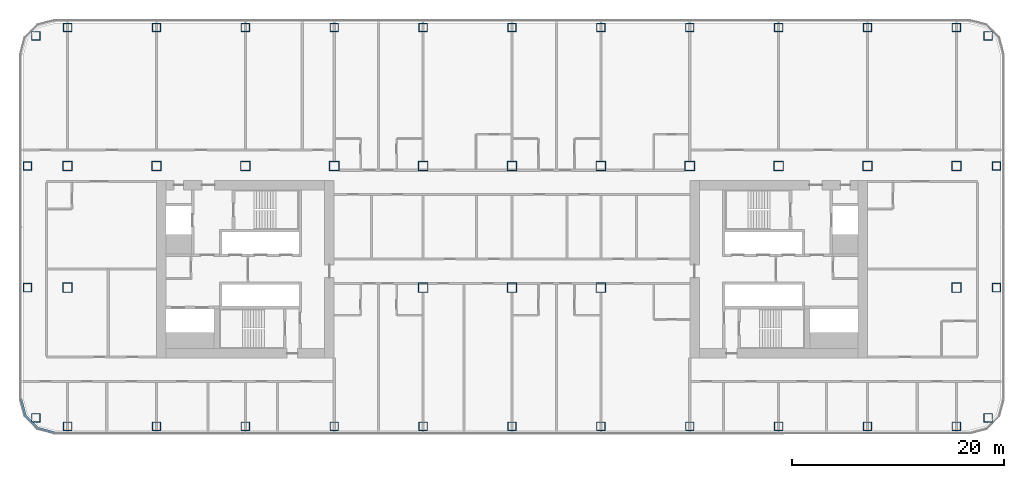
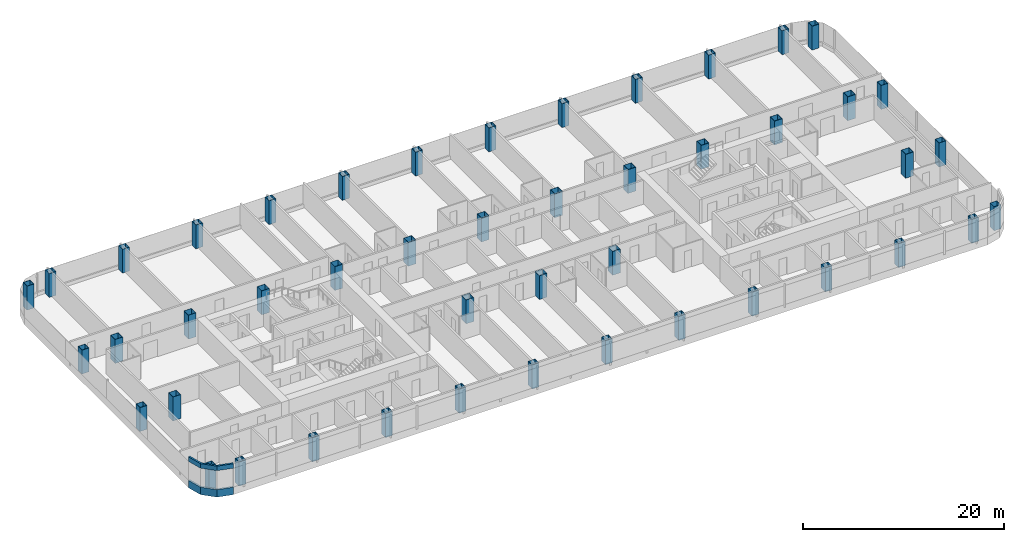
# One storey, part 1 of 29: 46 columns, 2 members, 1 element without a shape of its own.
"""IFC4 building model written with IfcOpenShell, lengths in metres."""

from ifc_helpers import new_model, si_unit, direction, frame, origin, origin_2d, place, context, subcontext, project, spatial, polyline, rectangle, hollow_rectangle, outline, extrude, material, layer, layer_set, material_profile, profile_set, type_object, element, aggregate, save


model = new_model("IFC4")

# Units and contexts
model_context = context("Model", 3, precision=1e-05, world=origin(), true_north=direction((0.0, 1.0)))
body_context = subcontext(model_context, "Body", "Model", "MODEL_VIEW")
ifc_project = project(units=[si_unit("LENGTHUNIT", "METRE"), si_unit("AREAUNIT", "SQUARE_METRE"), si_unit("VOLUMEUNIT", "CUBIC_METRE"), si_unit("PLANEANGLEUNIT", "RADIAN"), si_unit("MASSUNIT", "GRAM", prefix="KILO")], contexts=[model_context])

# Site, building, storey
site_placement = place(None, origin())
site = spatial("IfcSite", under=ifc_project, at=site_placement, CompositionType="ELEMENT")
building_placement = place(site_placement, origin())
building = spatial("IfcBuilding", under=site, at=building_placement, Name="Hakoniwa Tower and Hamabe Station Hall", CompositionType="ELEMENT")
storey_placement = place(building_placement, frame((0.0, 0.0, 117.0)))
storey = spatial("IfcBuildingStorey", under=building, at=storey_placement, Name="L33", CompositionType="ELEMENT", Elevation=117.0)

# Columns
ifc_material_1 = material(Name="Steel SN490C", Category="steel")
ifc_material_profile_1 = material_profile(ifc_material_1, hollow_rectangle(XDim=0.800048828125, YDim=0.800048828125, WallThickness=0.031982421875, at=origin_2d()), Name="BX-800x800x32")
ifc_profile_set_1 = profile_set([ifc_material_profile_1], Name="Steel SN490C")
column_type_1 = type_object("IfcColumnType", Name="COLUMN BX-800x800x32", PredefinedType="COLUMN", material=ifc_profile_set_1)
for number, where, z_axis, x_axis, name in (
    (1, (-45.003173828125, -14.052978515625, 0.0), (0.0, 0.0, 1.0), (1.0, 0.0, 0.0), "Column B2-EW-A2"),
    (2, (-45.800048828125, -1.75, 0.0), (0.0, 0.0, 1.0), (1.0, 0.0, 0.0), "Column B2-EW-C2"),
    (3, (-45.800048828125, 9.75, 0.0), (0.0, 0.0, 1.0), (1.0, 0.0, 0.0), "Column B2-EW-E2"),
    (4, (-45.003173828125, 22.052978515625, 0.0), (0.0, 0.0, 1.0), (1.0, 0.0, 0.0), "Column B2-EW-G2"),
    (5, (-42.0, -14.85009765625, 0.0), (0.0, 0.0, 1.0), (1.0, 0.0, 0.0), "Column B2-2-A2"),
    (6, (-42.0, 22.85009765625, 0.0), (0.0, 0.0, 1.0), (1.0, 0.0, 0.0), "Column B2-2-G2"),
    (7, (-33.60009765625, -14.85009765625, 0.0), (0.0, 0.0, 1.0), (1.0, 0.0, 0.0), "Column B2-3-A2"),
    (8, (-33.60009765625, 22.85009765625, 0.0), (0.0, 0.0, 1.0), (1.0, 0.0, 0.0), "Column B2-3-G2"),
    (9, (-25.199951171875, -14.85009765625, 0.0), (0.0, 0.0, 1.0), (1.0, 0.0, 0.0), "Column B2-4-A2"),
    (10, (-25.199951171875, 22.85009765625, 0.0), (0.0, 0.0, 1.0), (1.0, 0.0, 0.0), "Column B2-4-G2"),
    (11, (-16.800048828125, -14.85009765625, 0.0), (0.0, 0.0, 1.0), (1.0, 0.0, 0.0), "Column B2-5-A2"),
    (12, (-16.800048828125, 22.85009765625, 0.0), (0.0, 0.0, 1.0), (1.0, 0.0, 0.0), "Column B2-5-G2"),
    (13, (-8.39990234375, -14.85009765625, 0.0), (0.0, 0.0, 1.0), (1.0, 0.0, 0.0), "Column B2-6-A2"),
    (14, (-8.39990234375, 22.85009765625, 0.0), (0.0, 0.0, 1.0), (1.0, 0.0, 0.0), "Column B2-6-G2"),
    (15, (0.0, -14.85009765625, 0.0), (0.0, 0.0, 1.0), (1.0, 0.0, 0.0), "Column B2-7-A2"),
    (16, (0.0, 22.85009765625, 0.0), (0.0, 0.0, 1.0), (1.0, 0.0, 0.0), "Column B2-7-G2"),
    (17, (8.39990234375, -14.85009765625, 0.0), (0.0, 0.0, 1.0), (1.0, 0.0, 0.0), "Column B2-8-A2"),
    (18, (8.39990234375, 22.85009765625, 0.0), (0.0, 0.0, 1.0), (1.0, 0.0, 0.0), "Column B2-8-G2"),
    (19, (16.800048828125, -14.85009765625, 0.0), (0.0, 0.0, 1.0), (1.0, 0.0, 0.0), "Column B2-9-A2"),
    (20, (16.800048828125, 22.85009765625, 0.0), (0.0, 0.0, 1.0), (1.0, 0.0, 0.0), "Column B2-9-G2"),
    (21, (25.199951171875, -14.85009765625, 0.0), (0.0, 0.0, 1.0), (1.0, 0.0, 0.0), "Column B2-10-A2"),
    (22, (25.199951171875, 22.85009765625, 0.0), (0.0, 0.0, 1.0), (1.0, 0.0, 0.0), "Column B2-10-G2"),
    (23, (33.60009765625, -14.85009765625, 0.0), (0.0, 0.0, 1.0), (1.0, 0.0, 0.0), "Column B2-11-A2"),
    (24, (33.60009765625, 22.85009765625, 0.0), (0.0, 0.0, 1.0), (1.0, 0.0, 0.0), "Column B2-11-G2"),
    (25, (42.0, -14.85009765625, 0.0), (0.0, 0.0, 1.0), (1.0, 0.0, 0.0), "Column B2-12-A2"),
    (26, (42.0, 22.85009765625, 0.0), (0.0, 0.0, 1.0), (1.0, 0.0, 0.0), "Column B2-12-G2"),
    (27, (45.003173828125, -14.052978515625, 0.0), (0.0, 0.0, 1.0), (1.0, 0.0, 0.0), "Column B2-EE-A2"),
    (28, (45.800048828125, -1.75, 0.0), (0.0, 0.0, 1.0), (1.0, 0.0, 0.0), "Column B2-EE-C2"),
    (29, (45.800048828125, 9.75, 0.0), (0.0, 0.0, 1.0), (1.0, 0.0, 0.0), "Column B2-EE-E2"),
    (30, (45.003173828125, 22.052978515625, 0.0), (0.0, 0.0, 1.0), (1.0, 0.0, 0.0), "Column B2-EE-G2"),
):
    element("IfcColumn", number, at=place(storey_placement, frame(where, z_axis=z_axis, x_axis=x_axis)), inside=storey, type_object=column_type_1, Name=name, PredefinedType="COLUMN", context=body_context, shape_type="SweptSolid", body=[
        extrude(hollow_rectangle(XDim=0.800048828125, YDim=0.800048828125, WallThickness=0.031982421875, at=origin_2d()), origin(), (0.0, 0.0, 1.0), 2.89990234375),
    ])
ifc_material_2 = material(Name="Steel SN490C", Category="steel")
ifc_material_profile_2 = material_profile(ifc_material_2, hollow_rectangle(XDim=0.89990234375, YDim=0.89990234375, WallThickness=0.035888671875, at=origin_2d()), Name="BX-900x900x36")
ifc_profile_set_2 = profile_set([ifc_material_profile_2], Name="Steel SN490C")
column_type_2 = type_object("IfcColumnType", Name="COLUMN BX-900x900x36", PredefinedType="COLUMN", material=ifc_profile_set_2)
for number, where, z_axis, x_axis, name in (
    (31, (-42.0, -1.75, 0.0), (0.0, 0.0, 1.0), (1.0, 0.0, 0.0), "Column B2-2-C2"),
    (32, (-42.0, 9.75, 0.0), (0.0, 0.0, 1.0), (1.0, 0.0, 0.0), "Column B2-2-E2"),
    (33, (-33.60009765625, 9.75, 0.0), (0.0, 0.0, 1.0), (1.0, 0.0, 0.0), "Column B2-3-E2"),
    (34, (-25.199951171875, 9.75, 0.0), (0.0, 0.0, 1.0), (1.0, 0.0, 0.0), "Column B2-4-E2"),
    (35, (-16.800048828125, 9.75, 0.0), (0.0, 0.0, 1.0), (1.0, 0.0, 0.0), "Column B2-5-E2"),
    (36, (-8.39990234375, -1.75, 0.0), (0.0, 0.0, 1.0), (1.0, 0.0, 0.0), "Column B2-6-C2"),
    (37, (-8.39990234375, 9.75, 0.0), (0.0, 0.0, 1.0), (1.0, 0.0, 0.0), "Column B2-6-E2"),
    (38, (0.0, -1.75, 0.0), (0.0, 0.0, 1.0), (1.0, 0.0, 0.0), "Column B2-7-C2"),
    (39, (0.0, 9.75, 0.0), (0.0, 0.0, 1.0), (1.0, 0.0, 0.0), "Column B2-7-E2"),
    (40, (8.39990234375, -1.75, 0.0), (0.0, 0.0, 1.0), (1.0, 0.0, 0.0), "Column B2-8-C2"),
    (41, (8.39990234375, 9.75, 0.0), (0.0, 0.0, 1.0), (1.0, 0.0, 0.0), "Column B2-8-E2"),
    (42, (16.800048828125, 9.75, 0.0), (0.0, 0.0, 1.0), (1.0, 0.0, 0.0), "Column B2-9-E2"),
    (43, (25.199951171875, 9.75, 0.0), (0.0, 0.0, 1.0), (1.0, 0.0, 0.0), "Column B2-10-E2"),
    (44, (33.60009765625, 9.75, 0.0), (0.0, 0.0, 1.0), (1.0, 0.0, 0.0), "Column B2-11-E2"),
    (45, (42.0, -1.75, 0.0), (0.0, 0.0, 1.0), (1.0, 0.0, 0.0), "Column B2-12-C2"),
    (46, (42.0, 9.75, 0.0), (0.0, 0.0, 1.0), (1.0, 0.0, 0.0), "Column B2-12-E2"),
):
    element("IfcColumn", number, at=place(storey_placement, frame(where, z_axis=z_axis, x_axis=x_axis)), inside=storey, type_object=column_type_2, Name=name, PredefinedType="COLUMN", context=body_context, shape_type="SweptSolid", body=[
        extrude(hollow_rectangle(XDim=0.89990234375, YDim=0.89990234375, WallThickness=0.035888671875, at=origin_2d()), origin(), (0.0, 0.0, 1.0), 2.89990234375),
    ])

# Curtain wall, members
ifc_material_3 = material(Name="Dark low-e laminated glass", Category="glass")
ifc_layer = layer(ifc_material_3, 0.199951171875)
ifc_layer_set = layer_set([ifc_layer], Name="CW-1 UNITISED GUEST")
curtain_wall_type = type_object("IfcCurtainWallType", Name="CW-1 UNITISED GUEST", PredefinedType="NOTDEFINED", material=ifc_layer_set)
curtain_wall_placement = place(storey_placement, origin())
curtain_wall = element("IfcCurtainWall", 47, at=curtain_wall_placement, inside=storey, type_object=curtain_wall_type, Name="CW-1 curtain wall", PredefinedType="NOTDEFINED")
ifc_material_4 = material(Name="Aluminium 6063-T5 black anodised", Category="aluminium")
ifc_material_profile_3 = material_profile(ifc_material_4, rectangle(XDim=0.199951171875, YDim=0.550048828125, at=origin_2d()), Name="CW HEAD BAND 550X200")
ifc_profile_set_3 = profile_set([ifc_material_profile_3], Name="Aluminium 6063-T5 black anodised")
member_type_1 = type_object("IfcMemberType", Name="CW HEAD BAND 550X200", PredefinedType="USERDEFINED", material=ifc_profile_set_3)
member_1_placement = place(storey_placement, frame((0.0, 0.0, 2.64990234375)))
member_1 = element("IfcMember", 48, at=member_1_placement, type_object=member_type_1, Name="CW-1 transom", ObjectType="TRANSOM", PredefinedType="USERDEFINED", context=body_context, shape_type="SweptSolid", body=[
    extrude(outline(polyline([(-46.5, -12.28955078125), (-46.067138671875, -13.9052734375), (-44.855224609375, -15.116943359375), (-43.239501953125, -15.550048828125), (-43.187744140625, -15.35693359375), (-44.751708984375, -14.937744140625), (-45.8876953125, -13.8017578125), (-46.306884765625, -12.23779296875), (-46.5, -12.28955078125)])), origin(), (0.0, 0.0, 1.0), 0.550048828125),
])
ifc_material_5 = material(Name="Aluminium 6063-T5 black anodised", Category="aluminium")
ifc_material_profile_4 = material_profile(ifc_material_5, rectangle(XDim=0.199951171875, YDim=0.89990234375, at=origin_2d()), Name="CW SLAB-EDGE BAND 900X200")
ifc_profile_set_4 = profile_set([ifc_material_profile_4], Name="Aluminium 6063-T5 black anodised")
member_type_2 = type_object("IfcMemberType", Name="CW SLAB-EDGE BAND 900X200", PredefinedType="USERDEFINED", material=ifc_profile_set_4)
member_2_placement = place(storey_placement, frame((0.0, 0.0, -0.550048828125)))
member_2 = element("IfcMember", 49, at=member_2_placement, type_object=member_type_2, Name="CW-1 transom", ObjectType="TRANSOM", PredefinedType="USERDEFINED", context=body_context, shape_type="SweptSolid", body=[
    extrude(outline(polyline([(-46.5, -12.28955078125), (-46.067138671875, -13.9052734375), (-44.855224609375, -15.116943359375), (-43.239501953125, -15.550048828125), (-43.187744140625, -15.35693359375), (-44.751708984375, -14.937744140625), (-45.8876953125, -13.8017578125), (-46.306884765625, -12.23779296875), (-46.5, -12.28955078125)])), origin(), (0.0, 0.0, 1.0), 0.900146484375),
])
aggregate(curtain_wall, [member_2, member_1])

save(model, "model.ifc")
